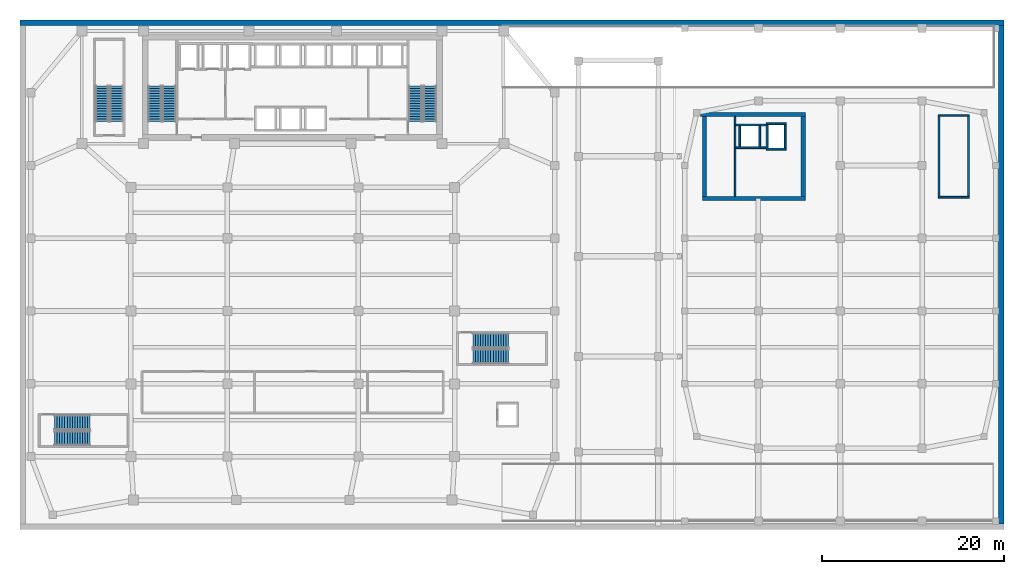
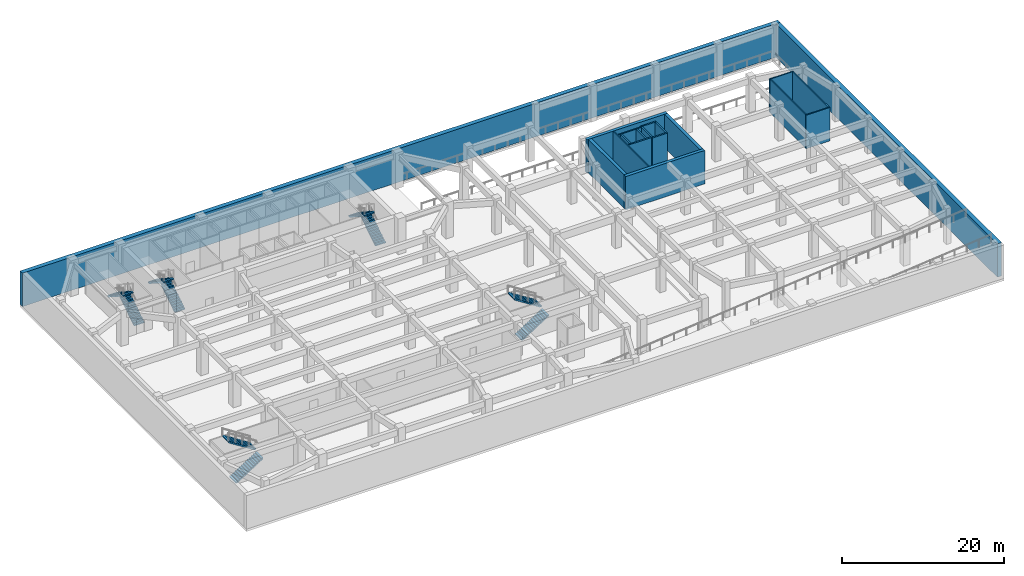
# One storey, part 8 of 14: 19 walls, 10 stair flights, 5 elements without a shape of their own.
"""IFC4 building model written with IfcOpenShell, lengths in metres."""

from ifc_helpers import new_model, si_unit, direction, frame, frame_2d, origin, place, context, subcontext, project, spatial, polyline, rectangle, outline, extrude, material, layer, layer_set, type_object, element, aggregate, save


model = new_model("IFC4")

# Units and contexts
model_context = context("Model", 3, precision=1e-05, world=origin(), true_north=direction((0.0, 1.0)))
body_context = subcontext(model_context, "Body", "Model", "MODEL_VIEW")
ifc_project = project(units=[si_unit("LENGTHUNIT", "METRE"), si_unit("AREAUNIT", "SQUARE_METRE"), si_unit("VOLUMEUNIT", "CUBIC_METRE"), si_unit("PLANEANGLEUNIT", "RADIAN"), si_unit("MASSUNIT", "GRAM", prefix="KILO")], contexts=[model_context])

# Site, building, storey
site_placement = place(None, origin())
site = spatial("IfcSite", under=ifc_project, at=site_placement, CompositionType="ELEMENT")
building_placement = place(site_placement, origin())
building = spatial("IfcBuilding", under=site, at=building_placement, Name="Saevonmaru Cultural Tower", CompositionType="ELEMENT")
storey_placement = place(building_placement, frame((0.0, 0.0, -5.39990234375)))
storey = spatial("IfcBuildingStorey", under=building, at=storey_placement, Name="B1", CompositionType="ELEMENT", Elevation=-5.39990234375)

# Walls
ifc_material_1 = material(Name="Concrete C50/60", Category="concrete")
ifc_layer_1 = layer(ifc_material_1, 0.449951171875, Name="Concrete C50/60")
ifc_layer_set_1 = layer_set([ifc_layer_1], Name="Concrete C50/60")
wall_type_1 = type_object("IfcWallType", Name="WL-LCORE-450", PredefinedType="SHEAR", material=ifc_layer_set_1)
wall_1_placement = place(storey_placement, frame((75.050048828125, 36.375, 0.0), z_axis=(0.0, 0.0, 1.0), x_axis=(1.0, 0.0, 0.0)))
element("IfcWall", 1, at=wall_1_placement, inside=storey, type_object=wall_type_1, Name="B1 Central Library RC core shear wall S", PredefinedType="SHEAR", context=body_context, shape_type="SweptSolid", body=[
    extrude(rectangle(XDim=11.300048828125, YDim=0.449951171875, at=frame_2d((5.64990234375, 0.0))), origin(), (0.0, 0.0, 1.0), 5.0498046875),
])
wall_2_placement = place(storey_placement, frame((74.85009765625, 45.625, 0.0), z_axis=(0.0, 0.0, 1.0), x_axis=(1.0, 0.0, 0.0)))
element("IfcWall", 2, at=wall_2_placement, inside=storey, type_object=wall_type_1, Name="B1 Central Library RC core shear wall N", PredefinedType="SHEAR", context=body_context, shape_type="SweptSolid", body=[
    extrude(rectangle(XDim=11.5, YDim=0.449951171875, at=frame_2d((5.75, 0.0))), origin(), (0.0, 0.0, 1.0), 5.0498046875),
])
for number, where, z_axis, x_axis, name in (
    (3, (75.27490234375, 36.60009765625, 0.0), (0.0, 0.0, 1.0), (0.0, 1.0, 0.0), "B1 Central Library RC core shear wall W"),
    (4, (86.125, 36.60009765625, 0.0), (0.0, 0.0, 1.0), (0.0, 1.0, 0.0), "B1 Central Library RC core shear wall E"),
):
    element("IfcWall", number, at=place(storey_placement, frame(where, z_axis=z_axis, x_axis=x_axis)), inside=storey, type_object=wall_type_1, Name=name, PredefinedType="SHEAR", context=body_context, shape_type="SweptSolid", body=[
        extrude(rectangle(XDim=8.7998046875, YDim=0.449951171875, at=frame_2d((4.39990234375, 0.0))), origin(), (0.0, 0.0, 1.0), 5.0498046875),
    ])
ifc_layer_2 = layer(ifc_material_1, 0.60009765625, Name="Concrete C50/60")
ifc_layer_set_2 = layer_set([ifc_layer_2], Name="Concrete C50/60")
wall_type_2 = type_object("IfcWallType", Name="WL-RET-600", PredefinedType="USERDEFINED", material=ifc_layer_set_2)
wall_3_placement = place(storey_placement, frame((0.0, 55.699951171875, 0.0), z_axis=(0.0, 0.0, 1.0), x_axis=(1.0, 0.0, 0.0)))
element("IfcWall", 5, at=wall_3_placement, inside=storey, type_object=wall_type_2, Name="B1 Basement perimeter retaining wall N", ObjectType="RETAININGWALL", PredefinedType="USERDEFINED", context=body_context, shape_type="SweptSolid", body=[
    extrude(rectangle(XDim=108.199951171875, YDim=0.60009765625, at=frame_2d((54.10009765625, 0.0))), origin(), (0.0, 0.0, 1.0), 5.0498046875),
])
wall_4_placement = place(storey_placement, frame((107.89990234375, 0.60009765625, 0.0), z_axis=(0.0, 0.0, 1.0), x_axis=(0.0, 1.0, 0.0)))
element("IfcWall", 6, at=wall_4_placement, inside=storey, type_object=wall_type_2, Name="B1 Basement perimeter retaining wall E", ObjectType="RETAININGWALL", PredefinedType="USERDEFINED", context=body_context, shape_type="SweptSolid", body=[
    extrude(rectangle(XDim=54.7998046875, YDim=0.60009765625, at=frame_2d((27.39990234375, 0.0))), origin(), (0.0, 0.0, 1.0), 5.0498046875),
])
ifc_material_2 = material(Name="Concrete C40/50", Category="concrete")
ifc_layer_3 = layer(ifc_material_2, 0.199951171875, Name="Concrete C40/50")
ifc_layer_set_3 = layer_set([ifc_layer_3], Name="Concrete C40/50")
wall_type_3 = type_object("IfcWallType", Name="WL-SHAFT-200", PredefinedType="SHEAR", material=ifc_layer_set_3)
for number, where, z_axis, x_axis, name in (
    (7, (78.72998046875, 41.949951171875, 0.0), (0.0, 0.0, 1.0), (1.0, 0.0, 0.0), "B1 Lift LLF-1 Hoistway Wall S"),
    (8, (78.72998046875, 44.449951171875, 0.0), (0.0, 0.0, 1.0), (1.0, 0.0, 0.0), "B1 Lift LLF-1 Hoistway Wall N"),
):
    element("IfcWall", number, at=place(storey_placement, frame(where, z_axis=z_axis, x_axis=x_axis)), inside=storey, type_object=wall_type_3, Name=name, PredefinedType="SHEAR", context=body_context, shape_type="SweptSolid", body=[
        extrude(rectangle(XDim=3.320068359375, YDim=0.199951171875, at=frame_2d((1.66015625, 0.0))), origin(), (0.0, 0.0, 1.0), 5.0498046875),
    ])
for number, where, z_axis, x_axis, name in (
    (9, (79.14990234375, 42.050048828125, 0.0), (0.0, 0.0, 1.0), (0.0, 1.0, 0.0), "B1 Lift LLF-1 Hoistway Wall W"),
    (10, (81.35009765625, 42.050048828125, 0.0), (0.0, 0.0, 1.0), (0.0, 1.0, 0.0), "B1 Lift LLF-1 Hoistway Wall E"),
):
    element("IfcWall", number, at=place(storey_placement, frame(where, z_axis=z_axis, x_axis=x_axis)), inside=storey, type_object=wall_type_3, Name=name, PredefinedType="SHEAR", context=body_context, shape_type="SweptSolid", body=[
        extrude(rectangle(XDim=2.300048828125, YDim=0.199951171875, at=frame_2d((1.14990234375, 0.0))), origin(), (0.0, 0.0, 1.0), 5.0498046875),
    ])
for number, where, z_axis, x_axis, name in (
    (11, (82.050048828125, 41.800048828125, 0.0), (0.0, 0.0, 1.0), (1.0, 0.0, 0.0), "B1 Lift LLF-2 Hoistway Wall S"),
    (12, (82.050048828125, 44.60009765625, 0.0), (0.0, 0.0, 1.0), (1.0, 0.0, 0.0), "B1 Lift LLF-2 Hoistway Wall N"),
):
    element("IfcWall", number, at=place(storey_placement, frame(where, z_axis=z_axis, x_axis=x_axis)), inside=storey, type_object=wall_type_3, Name=name, PredefinedType="SHEAR", context=body_context, shape_type="SweptSolid", body=[
        extrude(rectangle(XDim=2.199951171875, YDim=0.199951171875, at=frame_2d((1.10009765625, 0.0))), origin(), (0.0, 0.0, 1.0), 5.0498046875),
    ])
for number, where, z_axis, x_axis, name in (
    (13, (82.14990234375, 41.89990234375, 0.0), (0.0, 0.0, 1.0), (0.0, 1.0, 0.0), "B1 Lift LLF-2 Hoistway Wall W"),
    (14, (84.14990234375, 41.89990234375, 0.0), (0.0, 0.0, 1.0), (0.0, 1.0, 0.0), "B1 Lift LLF-2 Hoistway Wall E"),
):
    element("IfcWall", number, at=place(storey_placement, frame(where, z_axis=z_axis, x_axis=x_axis)), inside=storey, type_object=wall_type_3, Name=name, PredefinedType="SHEAR", context=body_context, shape_type="SweptSolid", body=[
        extrude(rectangle(XDim=2.60009765625, YDim=0.199951171875, at=frame_2d((1.300048828125, 0.0))), origin(), (0.0, 0.0, 1.0), 5.0498046875),
    ])
ifc_layer_4 = layer(ifc_material_2, 0.179931640625, Name="Concrete C40/50")
ifc_layer_set_4 = layer_set([ifc_layer_4], Name="Concrete C40/50")
wall_type_4 = type_object("IfcWallType", Name="WL-STSHAFT-180", PredefinedType="SHEAR", material=ifc_layer_set_4)
for number, where, z_axis, x_axis, name in (
    (15, (78.639892578125, 36.60009765625, 0.0), (0.0, 0.0, 1.0), (0.0, 1.0, 0.0), "B1 Stair LST-1 Structural Shaft Wall 1"),
    (16, (101.06005859375, 45.39990234375, 0.0), (0.0, 0.0, 1.0), (0.0, -1.0, 0.0), "B1 Stair LST-2 Structural Shaft Wall 1"),
):
    element("IfcWall", number, at=place(storey_placement, frame(where, z_axis=z_axis, x_axis=x_axis)), inside=storey, type_object=wall_type_4, Name=name, PredefinedType="SHEAR", context=body_context, shape_type="SweptSolid", body=[
        extrude(rectangle(XDim=8.7998046875, YDim=0.179931640625, at=frame_2d((4.39990234375, 0.0))), origin(), (0.0, 0.0, 1.0), 5.0498046875),
    ])
wall_5_placement = place(storey_placement, frame((100.969970703125, 36.510009765625, 0.0), z_axis=(0.0, 0.0, 1.0), x_axis=(1.0, 0.0, 0.0)))
element("IfcWall", 17, at=wall_5_placement, inside=storey, type_object=wall_type_4, Name="B1 Stair LST-2 Structural Shaft Wall 2", PredefinedType="SHEAR", context=body_context, shape_type="SweptSolid", body=[
    extrude(rectangle(XDim=3.409912109375, YDim=0.179931640625, at=frame_2d((1.705078125, 0.0))), origin(), (0.0, 0.0, 1.0), 5.0498046875),
])
wall_6_placement = place(storey_placement, frame((104.2900390625, 36.60009765625, 0.0), z_axis=(0.0, 0.0, 1.0), x_axis=(0.0, 1.0, 0.0)))
element("IfcWall", 18, at=wall_6_placement, inside=storey, type_object=wall_type_4, Name="B1 Stair LST-2 Structural Shaft Wall 3", PredefinedType="SHEAR", context=body_context, shape_type="SweptSolid", body=[
    extrude(rectangle(XDim=8.7998046875, YDim=0.179931640625, at=frame_2d((4.39990234375, 0.0))), origin(), (0.0, 0.0, 1.0), 5.0498046875),
])
wall_7_placement = place(storey_placement, frame((104.3798828125, 45.489990234375, 0.0), z_axis=(0.0, 0.0, 1.0), x_axis=(-1.0, 0.0, 0.0)))
element("IfcWall", 19, at=wall_7_placement, inside=storey, type_object=wall_type_4, Name="B1 Stair LST-2 Structural Shaft Wall 4", PredefinedType="SHEAR", context=body_context, shape_type="SweptSolid", body=[
    extrude(rectangle(XDim=3.409912109375, YDim=0.179931640625, at=frame_2d((1.705078125, 0.0))), origin(), (0.0, 0.0, 1.0), 5.0498046875),
])

# Stair, stair flights
stair_type_1 = type_object("IfcStairType", Name="STR-DOGLEG-RC-1600", PredefinedType="HALF_TURN_STAIR", material=ifc_material_2)
stair_1_placement = place(storey_placement, origin())
stair_1 = element("IfcStair", 20, at=stair_1_placement, inside=storey, type_object=stair_type_1, Name="B1 Protected exit stair SST-1", PredefinedType="HALF_TURN_STAIR")
ifc_material_3 = material(Name="Precast concrete C40/50", Category="concrete")
stair_flight_type_1 = type_object("IfcStairFlightType", Name="STF-PRECAST-1600", PredefinedType="STRAIGHT", material=ifc_material_3)
stair_flight_1_placement = place(storey_placement, frame((3.800048828125, 10.0, 0.0), z_axis=(0.0, 0.0, 1.0), x_axis=(1.0, 0.0, 0.0)))
stair_flight_1 = element("IfcStairFlight", 21, at=stair_flight_1_placement, type_object=stair_flight_type_1, Name="SST-1-B1 flight 1", NumberOfRisers=15, NumberOfTreads=14, PredefinedType="STRAIGHT", RiserHeight=0.18, TreadLength=0.28, context=body_context, shape_type="SweptSolid", body=[
    extrude(outline(polyline([(0.0, 0.0), (0.0, 0.179931640625), (0.280029296875, 0.179931640625), (0.280029296875, 0.360107421875), (0.56005859375, 0.360107421875), (0.56005859375, 0.5400390625), (0.840087890625, 0.5400390625), (0.840087890625, 0.719970703125), (1.1201171875, 0.719970703125), (1.1201171875, 0.89990234375), (1.39990234375, 0.89990234375), (1.39990234375, 1.080078125), (1.679931640625, 1.080078125), (1.679931640625, 1.260009765625), (1.9599609375, 1.260009765625), (1.9599609375, 1.43994140625), (2.239990234375, 1.43994140625), (2.239990234375, 1.6201171875), (2.52001953125, 1.6201171875), (2.52001953125, 1.800048828125), (2.800048828125, 1.800048828125), (2.800048828125, 1.97998046875), (3.080078125, 1.97998046875), (3.080078125, 2.159912109375), (3.360107421875, 2.159912109375), (3.360107421875, 2.340087890625), (3.639892578125, 2.340087890625), (3.639892578125, 2.52001953125), (3.919921875, 2.52001953125), (3.919921875, 2.699951171875), (3.919921875, 2.341796875), (0.277099609375, 0.0), (0.0, 0.0)])), frame((0.0, 0.800048828125, 0.0), z_axis=(0.0, -1.0, 0.0), x_axis=(1.0, 0.0, 0.0)), (0.0, 0.0, 1.0), 1.60009765625),
])
stair_flight_2_placement = place(storey_placement, frame((7.719970703125, 11.75, 2.699951171875), z_axis=(0.0, 0.0, 1.0), x_axis=(-1.0, 0.0, 0.0)))
stair_flight_2 = element("IfcStairFlight", 22, at=stair_flight_2_placement, type_object=stair_flight_type_1, Name="SST-1-B1 flight 2", NumberOfRisers=15, NumberOfTreads=14, PredefinedType="STRAIGHT", RiserHeight=0.18, TreadLength=0.28, context=body_context, shape_type="SweptSolid", body=[
    extrude(outline(polyline([(0.0, 0.0), (0.0, 0.179931640625), (0.280029296875, 0.179931640625), (0.280029296875, 0.360107421875), (0.56005859375, 0.360107421875), (0.56005859375, 0.5400390625), (0.840087890625, 0.5400390625), (0.840087890625, 0.719970703125), (1.1201171875, 0.719970703125), (1.1201171875, 0.89990234375), (1.39990234375, 0.89990234375), (1.39990234375, 1.080078125), (1.679931640625, 1.080078125), (1.679931640625, 1.260009765625), (1.9599609375, 1.260009765625), (1.9599609375, 1.43994140625), (2.239990234375, 1.43994140625), (2.239990234375, 1.6201171875), (2.52001953125, 1.6201171875), (2.52001953125, 1.800048828125), (2.800048828125, 1.800048828125), (2.800048828125, 1.97998046875), (3.080078125, 1.97998046875), (3.080078125, 2.159912109375), (3.360107421875, 2.159912109375), (3.360107421875, 2.340087890625), (3.639892578125, 2.340087890625), (3.639892578125, 2.52001953125), (3.919921875, 2.52001953125), (3.919921875, 2.699951171875), (3.919921875, 2.341796875), (0.277099609375, 0.0), (0.0, 0.0)])), frame((0.0, 0.800048828125, 0.0), z_axis=(0.0, -1.0, 0.0), x_axis=(1.0, 0.0, 0.0)), (0.0, 0.0, 1.0), 1.60009765625),
])
aggregate(stair_1, [stair_flight_1, stair_flight_2])

stair_2_placement = place(storey_placement, origin())
stair_2 = element("IfcStair", 23, at=stair_2_placement, inside=storey, type_object=stair_type_1, Name="B1 Protected exit stair SST-2", PredefinedType="HALF_TURN_STAIR")
stair_flight_3_placement = place(storey_placement, frame((49.800048828125, 19.0, 0.0), z_axis=(0.0, 0.0, 1.0), x_axis=(1.0, 0.0, 0.0)))
stair_flight_3 = element("IfcStairFlight", 24, at=stair_flight_3_placement, type_object=stair_flight_type_1, Name="SST-2-B1 flight 1", NumberOfRisers=15, NumberOfTreads=14, PredefinedType="STRAIGHT", RiserHeight=0.18, TreadLength=0.28, context=body_context, shape_type="SweptSolid", body=[
    extrude(outline(polyline([(0.0, 0.0), (0.0, 0.179931640625), (0.280029296875, 0.179931640625), (0.280029296875, 0.360107421875), (0.56005859375, 0.360107421875), (0.56005859375, 0.5400390625), (0.840087890625, 0.5400390625), (0.840087890625, 0.719970703125), (1.1201171875, 0.719970703125), (1.1201171875, 0.89990234375), (1.39990234375, 0.89990234375), (1.39990234375, 1.080078125), (1.679931640625, 1.080078125), (1.679931640625, 1.260009765625), (1.9599609375, 1.260009765625), (1.9599609375, 1.43994140625), (2.239990234375, 1.43994140625), (2.239990234375, 1.6201171875), (2.52001953125, 1.6201171875), (2.52001953125, 1.800048828125), (2.800048828125, 1.800048828125), (2.800048828125, 1.97998046875), (3.080078125, 1.97998046875), (3.080078125, 2.159912109375), (3.360107421875, 2.159912109375), (3.360107421875, 2.340087890625), (3.639892578125, 2.340087890625), (3.639892578125, 2.52001953125), (3.919921875, 2.52001953125), (3.919921875, 2.699951171875), (3.919921875, 2.341796875), (0.277099609375, 0.0), (0.0, 0.0)])), frame((0.0, 0.800048828125, 0.0), z_axis=(0.0, -1.0, 0.0), x_axis=(1.0, 0.0, 0.0)), (0.0, 0.0, 1.0), 1.60009765625),
])
stair_flight_4_placement = place(storey_placement, frame((53.719970703125, 20.75, 2.699951171875), z_axis=(0.0, 0.0, 1.0), x_axis=(-1.0, 0.0, 0.0)))
stair_flight_4 = element("IfcStairFlight", 25, at=stair_flight_4_placement, type_object=stair_flight_type_1, Name="SST-2-B1 flight 2", NumberOfRisers=15, NumberOfTreads=14, PredefinedType="STRAIGHT", RiserHeight=0.18, TreadLength=0.28, context=body_context, shape_type="SweptSolid", body=[
    extrude(outline(polyline([(0.0, 0.0), (0.0, 0.179931640625), (0.280029296875, 0.179931640625), (0.280029296875, 0.360107421875), (0.56005859375, 0.360107421875), (0.56005859375, 0.5400390625), (0.840087890625, 0.5400390625), (0.840087890625, 0.719970703125), (1.1201171875, 0.719970703125), (1.1201171875, 0.89990234375), (1.39990234375, 0.89990234375), (1.39990234375, 1.080078125), (1.679931640625, 1.080078125), (1.679931640625, 1.260009765625), (1.9599609375, 1.260009765625), (1.9599609375, 1.43994140625), (2.239990234375, 1.43994140625), (2.239990234375, 1.6201171875), (2.52001953125, 1.6201171875), (2.52001953125, 1.800048828125), (2.800048828125, 1.800048828125), (2.800048828125, 1.97998046875), (3.080078125, 1.97998046875), (3.080078125, 2.159912109375), (3.360107421875, 2.159912109375), (3.360107421875, 2.340087890625), (3.639892578125, 2.340087890625), (3.639892578125, 2.52001953125), (3.919921875, 2.52001953125), (3.919921875, 2.699951171875), (3.919921875, 2.341796875), (0.277099609375, 0.0), (0.0, 0.0)])), frame((0.0, 0.800048828125, 0.0), z_axis=(0.0, -1.0, 0.0), x_axis=(1.0, 0.0, 0.0)), (0.0, 0.0, 1.0), 1.60009765625),
])
aggregate(stair_2, [stair_flight_3, stair_flight_4])

stair_type_2 = type_object("IfcStairType", Name="STR-DOGLEG-RC", PredefinedType="HALF_TURN_STAIR", material=ifc_material_2)
stair_3_placement = place(storey_placement, origin())
stair_3 = element("IfcStair", 26, at=stair_3_placement, inside=storey, type_object=stair_type_2, Name="B1 Protected exit stair ST-1", PredefinedType="HALF_TURN_STAIR")
stair_flight_type_2 = type_object("IfcStairFlightType", Name="STF-PRECAST-180", PredefinedType="STRAIGHT", material=ifc_material_3)
stair_flight_5_placement = place(storey_placement, frame((16.425048828125, 44.85009765625, 0.0), z_axis=(0.0, 0.0, 1.0), x_axis=(0.0, 1.0, 0.0)))
stair_flight_5 = element("IfcStairFlight", 27, at=stair_flight_5_placement, type_object=stair_flight_type_2, Name="ST-1-B1 flight 1", NumberOfRisers=15, NumberOfTreads=14, PredefinedType="STRAIGHT", RiserHeight=0.18, TreadLength=0.28, context=body_context, shape_type="SweptSolid", body=[
    extrude(outline(polyline([(0.0, 0.0), (0.0, 0.179931640625), (0.280029296875, 0.179931640625), (0.280029296875, 0.360107421875), (0.56005859375, 0.360107421875), (0.56005859375, 0.5400390625), (0.840087890625, 0.5400390625), (0.840087890625, 0.719970703125), (1.1201171875, 0.719970703125), (1.1201171875, 0.89990234375), (1.39990234375, 0.89990234375), (1.39990234375, 1.080078125), (1.679931640625, 1.080078125), (1.679931640625, 1.260009765625), (1.9599609375, 1.260009765625), (1.9599609375, 1.43994140625), (2.239990234375, 1.43994140625), (2.239990234375, 1.6201171875), (2.52001953125, 1.6201171875), (2.52001953125, 1.800048828125), (2.800048828125, 1.800048828125), (2.800048828125, 1.97998046875), (3.080078125, 1.97998046875), (3.080078125, 2.159912109375), (3.360107421875, 2.159912109375), (3.360107421875, 2.340087890625), (3.639892578125, 2.340087890625), (3.639892578125, 2.52001953125), (3.919921875, 2.52001953125), (3.919921875, 2.699951171875), (3.919921875, 2.341796875), (0.277099609375, 0.0), (0.0, 0.0)])), frame((0.0, 0.72509765625, 0.0), z_axis=(0.0, -1.0, 0.0), x_axis=(1.0, 0.0, 0.0)), (0.0, 0.0, 1.0), 1.449951171875),
])
stair_flight_6_placement = place(storey_placement, frame((14.824951171875, 48.77001953125, 2.699951171875), z_axis=(0.0, 0.0, 1.0), x_axis=(0.0, -1.0, 0.0)))
stair_flight_6 = element("IfcStairFlight", 28, at=stair_flight_6_placement, type_object=stair_flight_type_2, Name="ST-1-B1 flight 2", NumberOfRisers=15, NumberOfTreads=14, PredefinedType="STRAIGHT", RiserHeight=0.18, TreadLength=0.28, context=body_context, shape_type="SweptSolid", body=[
    extrude(outline(polyline([(0.0, 0.0), (0.0, 0.179931640625), (0.280029296875, 0.179931640625), (0.280029296875, 0.360107421875), (0.56005859375, 0.360107421875), (0.56005859375, 0.5400390625), (0.840087890625, 0.5400390625), (0.840087890625, 0.719970703125), (1.1201171875, 0.719970703125), (1.1201171875, 0.89990234375), (1.39990234375, 0.89990234375), (1.39990234375, 1.080078125), (1.679931640625, 1.080078125), (1.679931640625, 1.260009765625), (1.9599609375, 1.260009765625), (1.9599609375, 1.43994140625), (2.239990234375, 1.43994140625), (2.239990234375, 1.6201171875), (2.52001953125, 1.6201171875), (2.52001953125, 1.800048828125), (2.800048828125, 1.800048828125), (2.800048828125, 1.97998046875), (3.080078125, 1.97998046875), (3.080078125, 2.159912109375), (3.360107421875, 2.159912109375), (3.360107421875, 2.340087890625), (3.639892578125, 2.340087890625), (3.639892578125, 2.52001953125), (3.919921875, 2.52001953125), (3.919921875, 2.699951171875), (3.919921875, 2.341796875), (0.277099609375, 0.0), (0.0, 0.0)])), frame((0.0, 0.72509765625, 0.0), z_axis=(0.0, -1.0, 0.0), x_axis=(1.0, 0.0, 0.0)), (0.0, 0.0, 1.0), 1.449951171875),
])
aggregate(stair_3, [stair_flight_5, stair_flight_6])

stair_4_placement = place(storey_placement, origin())
stair_4 = element("IfcStair", 29, at=stair_4_placement, inside=storey, type_object=stair_type_2, Name="B1 Protected exit stair ST-2", PredefinedType="HALF_TURN_STAIR")
stair_flight_7_placement = place(storey_placement, frame((45.074951171875, 44.85009765625, 0.0), z_axis=(0.0, 0.0, 1.0), x_axis=(0.0, 1.0, 0.0)))
stair_flight_7 = element("IfcStairFlight", 30, at=stair_flight_7_placement, type_object=stair_flight_type_2, Name="ST-2-B1 flight 1", NumberOfRisers=15, NumberOfTreads=14, PredefinedType="STRAIGHT", RiserHeight=0.18, TreadLength=0.28, context=body_context, shape_type="SweptSolid", body=[
    extrude(outline(polyline([(0.0, 0.0), (0.0, 0.179931640625), (0.280029296875, 0.179931640625), (0.280029296875, 0.360107421875), (0.56005859375, 0.360107421875), (0.56005859375, 0.5400390625), (0.840087890625, 0.5400390625), (0.840087890625, 0.719970703125), (1.1201171875, 0.719970703125), (1.1201171875, 0.89990234375), (1.39990234375, 0.89990234375), (1.39990234375, 1.080078125), (1.679931640625, 1.080078125), (1.679931640625, 1.260009765625), (1.9599609375, 1.260009765625), (1.9599609375, 1.43994140625), (2.239990234375, 1.43994140625), (2.239990234375, 1.6201171875), (2.52001953125, 1.6201171875), (2.52001953125, 1.800048828125), (2.800048828125, 1.800048828125), (2.800048828125, 1.97998046875), (3.080078125, 1.97998046875), (3.080078125, 2.159912109375), (3.360107421875, 2.159912109375), (3.360107421875, 2.340087890625), (3.639892578125, 2.340087890625), (3.639892578125, 2.52001953125), (3.919921875, 2.52001953125), (3.919921875, 2.699951171875), (3.919921875, 2.341796875), (0.277099609375, 0.0), (0.0, 0.0)])), frame((0.0, 0.72509765625, 0.0), z_axis=(0.0, -1.0, 0.0), x_axis=(1.0, 0.0, 0.0)), (0.0, 0.0, 1.0), 1.449951171875),
])
stair_flight_8_placement = place(storey_placement, frame((43.47509765625, 48.77001953125, 2.699951171875), z_axis=(0.0, 0.0, 1.0), x_axis=(0.0, -1.0, 0.0)))
stair_flight_8 = element("IfcStairFlight", 31, at=stair_flight_8_placement, type_object=stair_flight_type_2, Name="ST-2-B1 flight 2", NumberOfRisers=15, NumberOfTreads=14, PredefinedType="STRAIGHT", RiserHeight=0.18, TreadLength=0.28, context=body_context, shape_type="SweptSolid", body=[
    extrude(outline(polyline([(0.0, 0.0), (0.0, 0.179931640625), (0.280029296875, 0.179931640625), (0.280029296875, 0.360107421875), (0.56005859375, 0.360107421875), (0.56005859375, 0.5400390625), (0.840087890625, 0.5400390625), (0.840087890625, 0.719970703125), (1.1201171875, 0.719970703125), (1.1201171875, 0.89990234375), (1.39990234375, 0.89990234375), (1.39990234375, 1.080078125), (1.679931640625, 1.080078125), (1.679931640625, 1.260009765625), (1.9599609375, 1.260009765625), (1.9599609375, 1.43994140625), (2.239990234375, 1.43994140625), (2.239990234375, 1.6201171875), (2.52001953125, 1.6201171875), (2.52001953125, 1.800048828125), (2.800048828125, 1.800048828125), (2.800048828125, 1.97998046875), (3.080078125, 1.97998046875), (3.080078125, 2.159912109375), (3.360107421875, 2.159912109375), (3.360107421875, 2.340087890625), (3.639892578125, 2.340087890625), (3.639892578125, 2.52001953125), (3.919921875, 2.52001953125), (3.919921875, 2.699951171875), (3.919921875, 2.341796875), (0.277099609375, 0.0), (0.0, 0.0)])), frame((0.0, 0.72509765625, 0.0), z_axis=(0.0, -1.0, 0.0), x_axis=(1.0, 0.0, 0.0)), (0.0, 0.0, 1.0), 1.449951171875),
])
aggregate(stair_4, [stair_flight_7, stair_flight_8])

stair_5_placement = place(storey_placement, origin())
stair_5 = element("IfcStair", 32, at=stair_5_placement, inside=storey, type_object=stair_type_2, Name="B1 Protected exit stair ST-3", PredefinedType="HALF_TURN_STAIR")
stair_flight_9_placement = place(storey_placement, frame((10.625, 44.85009765625, 0.0), z_axis=(0.0, 0.0, 1.0), x_axis=(0.0, 1.0, 0.0)))
stair_flight_9 = element("IfcStairFlight", 33, at=stair_flight_9_placement, type_object=stair_flight_type_2, Name="ST-3-B1 flight 1", NumberOfRisers=15, NumberOfTreads=14, PredefinedType="STRAIGHT", RiserHeight=0.18, TreadLength=0.28, context=body_context, shape_type="SweptSolid", body=[
    extrude(outline(polyline([(0.0, 0.0), (0.0, 0.179931640625), (0.280029296875, 0.179931640625), (0.280029296875, 0.360107421875), (0.56005859375, 0.360107421875), (0.56005859375, 0.5400390625), (0.840087890625, 0.5400390625), (0.840087890625, 0.719970703125), (1.1201171875, 0.719970703125), (1.1201171875, 0.89990234375), (1.39990234375, 0.89990234375), (1.39990234375, 1.080078125), (1.679931640625, 1.080078125), (1.679931640625, 1.260009765625), (1.9599609375, 1.260009765625), (1.9599609375, 1.43994140625), (2.239990234375, 1.43994140625), (2.239990234375, 1.6201171875), (2.52001953125, 1.6201171875), (2.52001953125, 1.800048828125), (2.800048828125, 1.800048828125), (2.800048828125, 1.97998046875), (3.080078125, 1.97998046875), (3.080078125, 2.159912109375), (3.360107421875, 2.159912109375), (3.360107421875, 2.340087890625), (3.639892578125, 2.340087890625), (3.639892578125, 2.52001953125), (3.919921875, 2.52001953125), (3.919921875, 2.699951171875), (3.919921875, 2.341796875), (0.277099609375, 0.0), (0.0, 0.0)])), frame((0.0, 0.72509765625, 0.0), z_axis=(0.0, -1.0, 0.0), x_axis=(1.0, 0.0, 0.0)), (0.0, 0.0, 1.0), 1.449951171875),
])
stair_flight_10_placement = place(storey_placement, frame((9.02490234375, 48.77001953125, 2.699951171875), z_axis=(0.0, 0.0, 1.0), x_axis=(0.0, -1.0, 0.0)))
stair_flight_10 = element("IfcStairFlight", 34, at=stair_flight_10_placement, type_object=stair_flight_type_2, Name="ST-3-B1 flight 2", NumberOfRisers=15, NumberOfTreads=14, PredefinedType="STRAIGHT", RiserHeight=0.18, TreadLength=0.28, context=body_context, shape_type="SweptSolid", body=[
    extrude(outline(polyline([(0.0, 0.0), (0.0, 0.179931640625), (0.280029296875, 0.179931640625), (0.280029296875, 0.360107421875), (0.56005859375, 0.360107421875), (0.56005859375, 0.5400390625), (0.840087890625, 0.5400390625), (0.840087890625, 0.719970703125), (1.1201171875, 0.719970703125), (1.1201171875, 0.89990234375), (1.39990234375, 0.89990234375), (1.39990234375, 1.080078125), (1.679931640625, 1.080078125), (1.679931640625, 1.260009765625), (1.9599609375, 1.260009765625), (1.9599609375, 1.43994140625), (2.239990234375, 1.43994140625), (2.239990234375, 1.6201171875), (2.52001953125, 1.6201171875), (2.52001953125, 1.800048828125), (2.800048828125, 1.800048828125), (2.800048828125, 1.97998046875), (3.080078125, 1.97998046875), (3.080078125, 2.159912109375), (3.360107421875, 2.159912109375), (3.360107421875, 2.340087890625), (3.639892578125, 2.340087890625), (3.639892578125, 2.52001953125), (3.919921875, 2.52001953125), (3.919921875, 2.699951171875), (3.919921875, 2.341796875), (0.277099609375, 0.0), (0.0, 0.0)])), frame((0.0, 0.72509765625, 0.0), z_axis=(0.0, -1.0, 0.0), x_axis=(1.0, 0.0, 0.0)), (0.0, 0.0, 1.0), 1.449951171875),
])
aggregate(stair_5, [stair_flight_9, stair_flight_10])

save(model, "model.ifc")
